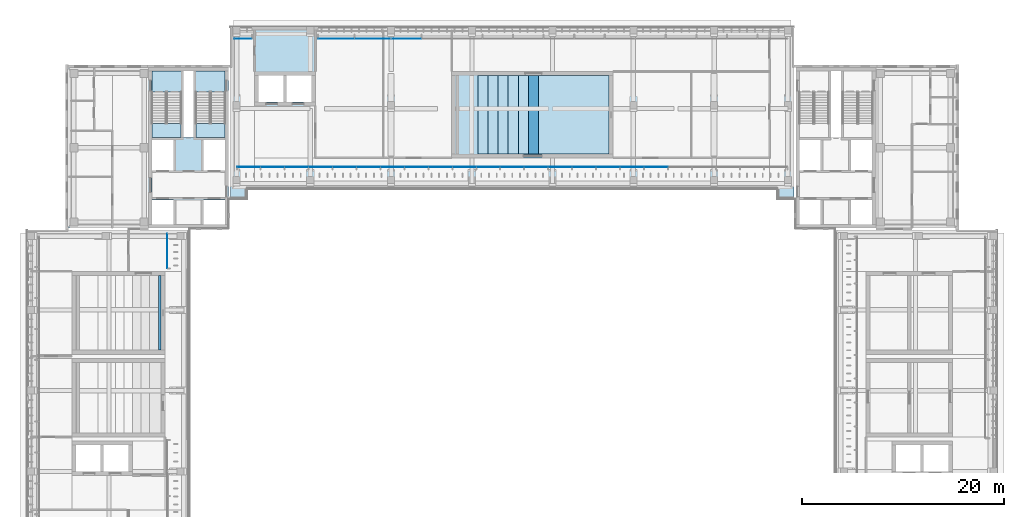
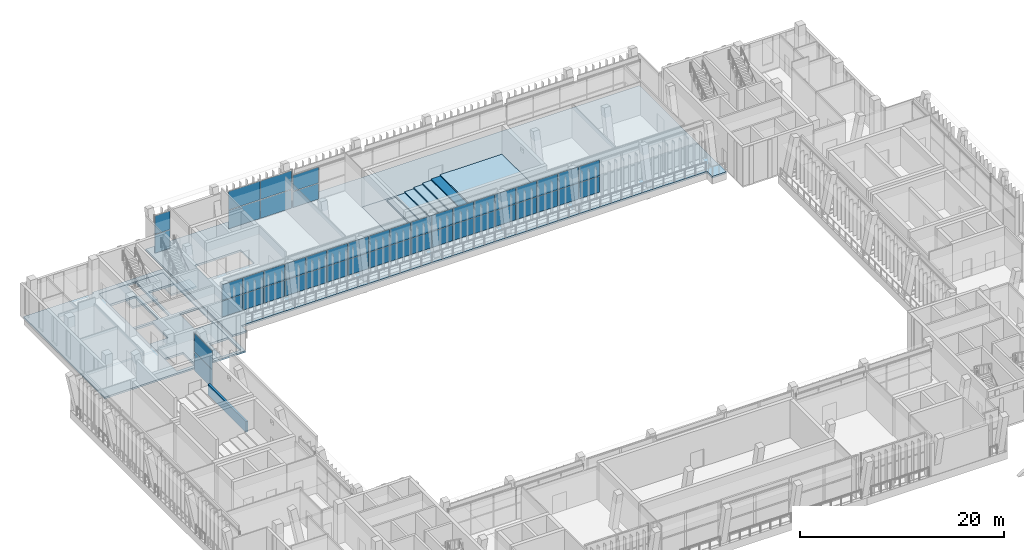
# One storey, part 39 of 74: 46 plates, 14 slabs, 7 elements without a shape of their own.
"""IFC4 building model written with IfcOpenShell, lengths in metres."""

from ifc_helpers import new_model, si_unit, direction, frame, origin, origin_2d, place, context, subcontext, project, spatial, polyline, rectangle, outline, extrude, material, layer, layer_set, type_object, element, aggregate, save


model = new_model("IFC4")

# Units and contexts
model_context = context("Model", 3, precision=1e-05, world=origin(), true_north=direction((0.0, 1.0)))
body_context = subcontext(model_context, "Body", "Model", "MODEL_VIEW")
ifc_project = project(units=[si_unit("LENGTHUNIT", "METRE"), si_unit("AREAUNIT", "SQUARE_METRE"), si_unit("VOLUMEUNIT", "CUBIC_METRE"), si_unit("PLANEANGLEUNIT", "RADIAN"), si_unit("MASSUNIT", "GRAM", prefix="KILO")], contexts=[model_context])

# Site, building, storey
site_placement = place(None, origin())
site = spatial("IfcSite", under=ifc_project, at=site_placement, CompositionType="ELEMENT")
building_placement = place(site_placement, origin())
building = spatial("IfcBuilding", under=site, at=building_placement, Name="Lantern Court Media Centre", CompositionType="ELEMENT")
storey_placement = place(building_placement, frame((0.0, 0.0, 19.199951171875)))
storey = spatial("IfcBuildingStorey", under=building, at=storey_placement, Name="L04", CompositionType="ELEMENT", Elevation=19.199951171875)

# Slab
ifc_material_1 = material(Name="Concrete C40", Category="concrete")
ifc_layer_1 = layer(ifc_material_1, 0.25)
ifc_layer_set_1 = layer_set([ifc_layer_1], Name="Concrete C40")
slab_type_1 = type_object("IfcSlabType", Name="Core floor slab 250", PredefinedType="FLOOR", material=ifc_layer_set_1)
slab_1_placement = place(storey_placement, frame((0.0, 0.0, -0.25)))
element("IfcSlab", 1, at=slab_1_placement, inside=storey, type_object=slab_type_1, Name="L04 NW core floor", PredefinedType="FLOOR", context=body_context, shape_type="SweptSolid", body=[
    extrude(outline(polyline([(16.35009765625, 104.800048828125), (16.35009765625, 105.05029296875), (19.19970703125, 105.05029296875), (19.19970703125, 109.549560546875), (16.35009765625, 109.549560546875), (16.35009765625, 111.64990234375), (19.449951171875, 111.64990234375), (19.449951171875, 105.050048828125), (20.449951171875, 105.050048828125), (20.449951171875, 111.64990234375), (23.550048828125, 111.64990234375), (23.550048828125, 109.549560546875), (20.700439453125, 109.549560546875), (20.700439453125, 105.05029296875), (23.550048828125, 105.05029296875), (23.550048828125, 104.800048828125), (21.449951171875, 104.800048828125), (21.449951171875, 101.800048828125), (23.550048828125, 101.800048828125), (23.550048828125, 98.89990234375), (21.449951171875, 98.89990234375), (21.449951171875, 96.449951171875), (18.449951171875, 96.449951171875), (18.449951171875, 98.89990234375), (16.35009765625, 98.89990234375), (16.35009765625, 101.800048828125), (18.449951171875, 101.800048828125), (18.449951171875, 104.800048828125), (16.35009765625, 104.800048828125)])), origin(), (0.0, 0.0, 1.0), 0.25),
])

# Curtain wall, plates
ifc_material_2 = material(Name="Curtain wall bay 2400")
curtain_wall_type_1 = type_object("IfcCurtainWallType", Name="Curtain wall bay 2400", PredefinedType="NOTDEFINED", material=ifc_material_2)
curtain_wall_1_placement = place(storey_placement, origin())
curtain_wall_1 = element("IfcCurtainWall", 2, at=curtain_wall_1_placement, inside=storey, type_object=curtain_wall_type_1, Name="Curtain wall N inner L04", PredefinedType="NOTDEFINED")
ifc_material_3 = material(Name="Low-iron double glazed unit glass", Category="glass")
ifc_layer_2 = layer(ifc_material_3, 0.02392578125)
ifc_layer_set_2 = layer_set([ifc_layer_2], Name="Low-iron double glazed unit glass")
plate_type_1 = type_object("IfcPlateType", Name="Curtain wall glazing unit 24", PredefinedType="CURTAIN_PANEL", material=ifc_layer_set_2)
plate_1_placement = place(storey_placement, frame((25.8994140625, 102.14990234375, 0.050048828125), z_axis=(0.0, 0.0, 1.0), x_axis=(1.0, 0.0, 0.0)))
plate_1 = element("IfcPlate", 3, at=plate_1_placement, type_object=plate_type_1, Name="CW2 panel 1.1", PredefinedType="CURTAIN_PANEL", context=body_context, shape_type="SweptSolid", body=[
    extrude(rectangle(XDim=2.298828125, YDim=0.02392578125, at=origin_2d()), origin(), (0.0, 0.0, 1.0), 1.89990234375),
])
plate_2_placement = place(storey_placement, frame((25.8994140625, 102.14990234375, 2.0), z_axis=(0.0, 0.0, 1.0), x_axis=(1.0, 0.0, 0.0)))
plate_2 = element("IfcPlate", 4, at=plate_2_placement, type_object=plate_type_1, Name="CW2 panel 1.2", PredefinedType="CURTAIN_PANEL", context=body_context, shape_type="SweptSolid", body=[
    extrude(rectangle(XDim=2.298828125, YDim=0.02392578125, at=origin_2d()), origin(), (0.0, 0.0, 1.0), 1.89990234375),
])
plate_3_placement = place(storey_placement, frame((28.260986328125, 102.14990234375, 0.050048828125), z_axis=(0.0, 0.0, 1.0), x_axis=(1.0, 0.0, 0.0)))
plate_3 = element("IfcPlate", 5, at=plate_3_placement, type_object=plate_type_1, Name="CW2 panel 2.1", PredefinedType="CURTAIN_PANEL", context=body_context, shape_type="SweptSolid", body=[
    extrude(rectangle(XDim=2.323974609375, YDim=0.02392578125, at=origin_2d()), origin(), (0.0, 0.0, 1.0), 1.89990234375),
])
plate_4_placement = place(storey_placement, frame((28.260986328125, 102.14990234375, 2.0), z_axis=(0.0, 0.0, 1.0), x_axis=(1.0, 0.0, 0.0)))
plate_4 = element("IfcPlate", 6, at=plate_4_placement, type_object=plate_type_1, Name="CW2 panel 2.2", PredefinedType="CURTAIN_PANEL", context=body_context, shape_type="SweptSolid", body=[
    extrude(rectangle(XDim=2.323974609375, YDim=0.02392578125, at=origin_2d()), origin(), (0.0, 0.0, 1.0), 1.89990234375),
])
plate_5_placement = place(storey_placement, frame((30.634765625, 102.14990234375, 0.050048828125), z_axis=(0.0, 0.0, 1.0), x_axis=(1.0, 0.0, 0.0)))
plate_5 = element("IfcPlate", 7, at=plate_5_placement, type_object=plate_type_1, Name="CW2 panel 3.1", PredefinedType="CURTAIN_PANEL", context=body_context, shape_type="SweptSolid", body=[
    extrude(rectangle(XDim=2.323974609375, YDim=0.02392578125, at=origin_2d()), origin(), (0.0, 0.0, 1.0), 1.89990234375),
])
plate_6_placement = place(storey_placement, frame((30.634765625, 102.14990234375, 2.0), z_axis=(0.0, 0.0, 1.0), x_axis=(1.0, 0.0, 0.0)))
plate_6 = element("IfcPlate", 8, at=plate_6_placement, type_object=plate_type_1, Name="CW2 panel 3.2", PredefinedType="CURTAIN_PANEL", context=body_context, shape_type="SweptSolid", body=[
    extrude(rectangle(XDim=2.323974609375, YDim=0.02392578125, at=origin_2d()), origin(), (0.0, 0.0, 1.0), 1.89990234375),
])
plate_7_placement = place(storey_placement, frame((33.0087890625, 102.14990234375, 0.050048828125), z_axis=(0.0, 0.0, 1.0), x_axis=(1.0, 0.0, 0.0)))
plate_7 = element("IfcPlate", 9, at=plate_7_placement, type_object=plate_type_1, Name="CW2 panel 4.1", PredefinedType="CURTAIN_PANEL", context=body_context, shape_type="SweptSolid", body=[
    extrude(rectangle(XDim=2.323974609375, YDim=0.02392578125, at=origin_2d()), origin(), (0.0, 0.0, 1.0), 1.89990234375),
])
plate_8_placement = place(storey_placement, frame((33.0087890625, 102.14990234375, 2.0), z_axis=(0.0, 0.0, 1.0), x_axis=(1.0, 0.0, 0.0)))
plate_8 = element("IfcPlate", 10, at=plate_8_placement, type_object=plate_type_1, Name="CW2 panel 4.2", PredefinedType="CURTAIN_PANEL", context=body_context, shape_type="SweptSolid", body=[
    extrude(rectangle(XDim=2.323974609375, YDim=0.02392578125, at=origin_2d()), origin(), (0.0, 0.0, 1.0), 1.89990234375),
])
plate_9_placement = place(storey_placement, frame((35.382568359375, 102.14990234375, 0.050048828125), z_axis=(0.0, 0.0, 1.0), x_axis=(1.0, 0.0, 0.0)))
plate_9 = element("IfcPlate", 11, at=plate_9_placement, type_object=plate_type_1, Name="CW2 panel 5.1", PredefinedType="CURTAIN_PANEL", context=body_context, shape_type="SweptSolid", body=[
    extrude(rectangle(XDim=2.323974609375, YDim=0.02392578125, at=origin_2d()), origin(), (0.0, 0.0, 1.0), 1.89990234375),
])
plate_10_placement = place(storey_placement, frame((35.382568359375, 102.14990234375, 2.0), z_axis=(0.0, 0.0, 1.0), x_axis=(1.0, 0.0, 0.0)))
plate_10 = element("IfcPlate", 12, at=plate_10_placement, type_object=plate_type_1, Name="CW2 panel 5.2", PredefinedType="CURTAIN_PANEL", context=body_context, shape_type="SweptSolid", body=[
    extrude(rectangle(XDim=2.323974609375, YDim=0.02392578125, at=origin_2d()), origin(), (0.0, 0.0, 1.0), 1.89990234375),
])
plate_11_placement = place(storey_placement, frame((37.756591796875, 102.14990234375, 0.050048828125), z_axis=(0.0, 0.0, 1.0), x_axis=(1.0, 0.0, 0.0)))
plate_11 = element("IfcPlate", 13, at=plate_11_placement, type_object=plate_type_1, Name="CW2 panel 6.1", PredefinedType="CURTAIN_PANEL", context=body_context, shape_type="SweptSolid", body=[
    extrude(rectangle(XDim=2.323974609375, YDim=0.02392578125, at=origin_2d()), origin(), (0.0, 0.0, 1.0), 1.89990234375),
])
plate_12_placement = place(storey_placement, frame((37.756591796875, 102.14990234375, 2.0), z_axis=(0.0, 0.0, 1.0), x_axis=(1.0, 0.0, 0.0)))
plate_12 = element("IfcPlate", 14, at=plate_12_placement, type_object=plate_type_1, Name="CW2 panel 6.2", PredefinedType="CURTAIN_PANEL", context=body_context, shape_type="SweptSolid", body=[
    extrude(rectangle(XDim=2.323974609375, YDim=0.02392578125, at=origin_2d()), origin(), (0.0, 0.0, 1.0), 1.89990234375),
])
plate_13_placement = place(storey_placement, frame((40.13037109375, 102.14990234375, 0.050048828125), z_axis=(0.0, 0.0, 1.0), x_axis=(1.0, 0.0, 0.0)))
plate_13 = element("IfcPlate", 15, at=plate_13_placement, type_object=plate_type_1, Name="CW2 panel 7.1", PredefinedType="CURTAIN_PANEL", context=body_context, shape_type="SweptSolid", body=[
    extrude(rectangle(XDim=2.323974609375, YDim=0.02392578125, at=origin_2d()), origin(), (0.0, 0.0, 1.0), 1.89990234375),
])
plate_14_placement = place(storey_placement, frame((40.13037109375, 102.14990234375, 2.0), z_axis=(0.0, 0.0, 1.0), x_axis=(1.0, 0.0, 0.0)))
plate_14 = element("IfcPlate", 16, at=plate_14_placement, type_object=plate_type_1, Name="CW2 panel 7.2", PredefinedType="CURTAIN_PANEL", context=body_context, shape_type="SweptSolid", body=[
    extrude(rectangle(XDim=2.323974609375, YDim=0.02392578125, at=origin_2d()), origin(), (0.0, 0.0, 1.0), 1.89990234375),
])
plate_15_placement = place(storey_placement, frame((42.50439453125, 102.14990234375, 0.050048828125), z_axis=(0.0, 0.0, 1.0), x_axis=(1.0, 0.0, 0.0)))
plate_15 = element("IfcPlate", 17, at=plate_15_placement, type_object=plate_type_1, Name="CW2 panel 8.1", PredefinedType="CURTAIN_PANEL", context=body_context, shape_type="SweptSolid", body=[
    extrude(rectangle(XDim=2.323974609375, YDim=0.02392578125, at=origin_2d()), origin(), (0.0, 0.0, 1.0), 1.89990234375),
])
plate_16_placement = place(storey_placement, frame((42.50439453125, 102.14990234375, 2.0), z_axis=(0.0, 0.0, 1.0), x_axis=(1.0, 0.0, 0.0)))
plate_16 = element("IfcPlate", 18, at=plate_16_placement, type_object=plate_type_1, Name="CW2 panel 8.2", PredefinedType="CURTAIN_PANEL", context=body_context, shape_type="SweptSolid", body=[
    extrude(rectangle(XDim=2.323974609375, YDim=0.02392578125, at=origin_2d()), origin(), (0.0, 0.0, 1.0), 1.89990234375),
])
plate_17_placement = place(storey_placement, frame((44.878173828125, 102.14990234375, 0.050048828125), z_axis=(0.0, 0.0, 1.0), x_axis=(1.0, 0.0, 0.0)))
plate_17 = element("IfcPlate", 19, at=plate_17_placement, type_object=plate_type_1, Name="CW2 panel 9.1", PredefinedType="CURTAIN_PANEL", context=body_context, shape_type="SweptSolid", body=[
    extrude(rectangle(XDim=2.323974609375, YDim=0.02392578125, at=origin_2d()), origin(), (0.0, 0.0, 1.0), 1.89990234375),
])
plate_18_placement = place(storey_placement, frame((44.878173828125, 102.14990234375, 2.0), z_axis=(0.0, 0.0, 1.0), x_axis=(1.0, 0.0, 0.0)))
plate_18 = element("IfcPlate", 20, at=plate_18_placement, type_object=plate_type_1, Name="CW2 panel 9.2", PredefinedType="CURTAIN_PANEL", context=body_context, shape_type="SweptSolid", body=[
    extrude(rectangle(XDim=2.323974609375, YDim=0.02392578125, at=origin_2d()), origin(), (0.0, 0.0, 1.0), 1.89990234375),
])
plate_19_placement = place(storey_placement, frame((47.252197265625, 102.14990234375, 0.050048828125), z_axis=(0.0, 0.0, 1.0), x_axis=(1.0, 0.0, 0.0)))
plate_19 = element("IfcPlate", 21, at=plate_19_placement, type_object=plate_type_1, Name="CW2 panel 10.1", PredefinedType="CURTAIN_PANEL", context=body_context, shape_type="SweptSolid", body=[
    extrude(rectangle(XDim=2.323974609375, YDim=0.02392578125, at=origin_2d()), origin(), (0.0, 0.0, 1.0), 1.89990234375),
])
plate_20_placement = place(storey_placement, frame((47.252197265625, 102.14990234375, 2.0), z_axis=(0.0, 0.0, 1.0), x_axis=(1.0, 0.0, 0.0)))
plate_20 = element("IfcPlate", 22, at=plate_20_placement, type_object=plate_type_1, Name="CW2 panel 10.2", PredefinedType="CURTAIN_PANEL", context=body_context, shape_type="SweptSolid", body=[
    extrude(rectangle(XDim=2.323974609375, YDim=0.02392578125, at=origin_2d()), origin(), (0.0, 0.0, 1.0), 1.89990234375),
])
plate_21_placement = place(storey_placement, frame((49.6259765625, 102.14990234375, 0.050048828125), z_axis=(0.0, 0.0, 1.0), x_axis=(1.0, 0.0, 0.0)))
plate_21 = element("IfcPlate", 23, at=plate_21_placement, type_object=plate_type_1, Name="CW2 panel 11.1", PredefinedType="CURTAIN_PANEL", context=body_context, shape_type="SweptSolid", body=[
    extrude(rectangle(XDim=2.323974609375, YDim=0.02392578125, at=origin_2d()), origin(), (0.0, 0.0, 1.0), 1.89990234375),
])
plate_22_placement = place(storey_placement, frame((49.6259765625, 102.14990234375, 2.0), z_axis=(0.0, 0.0, 1.0), x_axis=(1.0, 0.0, 0.0)))
plate_22 = element("IfcPlate", 24, at=plate_22_placement, type_object=plate_type_1, Name="CW2 panel 11.2", PredefinedType="CURTAIN_PANEL", context=body_context, shape_type="SweptSolid", body=[
    extrude(rectangle(XDim=2.323974609375, YDim=0.02392578125, at=origin_2d()), origin(), (0.0, 0.0, 1.0), 1.89990234375),
])
plate_23_placement = place(storey_placement, frame((52.0, 102.14990234375, 0.050048828125), z_axis=(0.0, 0.0, 1.0), x_axis=(1.0, 0.0, 0.0)))
plate_23 = element("IfcPlate", 25, at=plate_23_placement, type_object=plate_type_1, Name="CW2 panel 12.1", PredefinedType="CURTAIN_PANEL", context=body_context, shape_type="SweptSolid", body=[
    extrude(rectangle(XDim=2.323974609375, YDim=0.02392578125, at=origin_2d()), origin(), (0.0, 0.0, 1.0), 1.89990234375),
])
plate_24_placement = place(storey_placement, frame((52.0, 102.14990234375, 2.0), z_axis=(0.0, 0.0, 1.0), x_axis=(1.0, 0.0, 0.0)))
plate_24 = element("IfcPlate", 26, at=plate_24_placement, type_object=plate_type_1, Name="CW2 panel 12.2", PredefinedType="CURTAIN_PANEL", context=body_context, shape_type="SweptSolid", body=[
    extrude(rectangle(XDim=2.323974609375, YDim=0.02392578125, at=origin_2d()), origin(), (0.0, 0.0, 1.0), 1.89990234375),
])
plate_25_placement = place(storey_placement, frame((54.3740234375, 102.14990234375, 0.050048828125), z_axis=(0.0, 0.0, 1.0), x_axis=(1.0, 0.0, 0.0)))
plate_25 = element("IfcPlate", 27, at=plate_25_placement, type_object=plate_type_1, Name="CW2 panel 13.1", PredefinedType="CURTAIN_PANEL", context=body_context, shape_type="SweptSolid", body=[
    extrude(rectangle(XDim=2.323974609375, YDim=0.02392578125, at=origin_2d()), origin(), (0.0, 0.0, 1.0), 1.89990234375),
])
plate_26_placement = place(storey_placement, frame((54.3740234375, 102.14990234375, 2.0), z_axis=(0.0, 0.0, 1.0), x_axis=(1.0, 0.0, 0.0)))
plate_26 = element("IfcPlate", 28, at=plate_26_placement, type_object=plate_type_1, Name="CW2 panel 13.2", PredefinedType="CURTAIN_PANEL", context=body_context, shape_type="SweptSolid", body=[
    extrude(rectangle(XDim=2.323974609375, YDim=0.02392578125, at=origin_2d()), origin(), (0.0, 0.0, 1.0), 1.89990234375),
])
plate_27_placement = place(storey_placement, frame((56.747802734375, 102.14990234375, 0.050048828125), z_axis=(0.0, 0.0, 1.0), x_axis=(1.0, 0.0, 0.0)))
plate_27 = element("IfcPlate", 29, at=plate_27_placement, type_object=plate_type_1, Name="CW2 panel 14.1", PredefinedType="CURTAIN_PANEL", context=body_context, shape_type="SweptSolid", body=[
    extrude(rectangle(XDim=2.323974609375, YDim=0.02392578125, at=origin_2d()), origin(), (0.0, 0.0, 1.0), 1.89990234375),
])
plate_28_placement = place(storey_placement, frame((56.747802734375, 102.14990234375, 2.0), z_axis=(0.0, 0.0, 1.0), x_axis=(1.0, 0.0, 0.0)))
plate_28 = element("IfcPlate", 30, at=plate_28_placement, type_object=plate_type_1, Name="CW2 panel 14.2", PredefinedType="CURTAIN_PANEL", context=body_context, shape_type="SweptSolid", body=[
    extrude(rectangle(XDim=2.323974609375, YDim=0.02392578125, at=origin_2d()), origin(), (0.0, 0.0, 1.0), 1.89990234375),
])
plate_29_placement = place(storey_placement, frame((59.121826171875, 102.14990234375, 0.050048828125), z_axis=(0.0, 0.0, 1.0), x_axis=(1.0, 0.0, 0.0)))
plate_29 = element("IfcPlate", 31, at=plate_29_placement, type_object=plate_type_1, Name="CW2 panel 15.1", PredefinedType="CURTAIN_PANEL", context=body_context, shape_type="SweptSolid", body=[
    extrude(rectangle(XDim=2.323974609375, YDim=0.02392578125, at=origin_2d()), origin(), (0.0, 0.0, 1.0), 1.89990234375),
])
plate_30_placement = place(storey_placement, frame((59.121826171875, 102.14990234375, 2.0), z_axis=(0.0, 0.0, 1.0), x_axis=(1.0, 0.0, 0.0)))
plate_30 = element("IfcPlate", 32, at=plate_30_placement, type_object=plate_type_1, Name="CW2 panel 15.2", PredefinedType="CURTAIN_PANEL", context=body_context, shape_type="SweptSolid", body=[
    extrude(rectangle(XDim=2.323974609375, YDim=0.02392578125, at=origin_2d()), origin(), (0.0, 0.0, 1.0), 1.89990234375),
])
plate_31_placement = place(storey_placement, frame((61.49560546875, 102.14990234375, 0.050048828125), z_axis=(0.0, 0.0, 1.0), x_axis=(1.0, 0.0, 0.0)))
plate_31 = element("IfcPlate", 33, at=plate_31_placement, type_object=plate_type_1, Name="CW2 panel 16.1", PredefinedType="CURTAIN_PANEL", context=body_context, shape_type="SweptSolid", body=[
    extrude(rectangle(XDim=2.323974609375, YDim=0.02392578125, at=origin_2d()), origin(), (0.0, 0.0, 1.0), 1.89990234375),
])
plate_32_placement = place(storey_placement, frame((61.49560546875, 102.14990234375, 2.0), z_axis=(0.0, 0.0, 1.0), x_axis=(1.0, 0.0, 0.0)))
plate_32 = element("IfcPlate", 34, at=plate_32_placement, type_object=plate_type_1, Name="CW2 panel 16.2", PredefinedType="CURTAIN_PANEL", context=body_context, shape_type="SweptSolid", body=[
    extrude(rectangle(XDim=2.323974609375, YDim=0.02392578125, at=origin_2d()), origin(), (0.0, 0.0, 1.0), 1.89990234375),
])
plate_33_placement = place(storey_placement, frame((63.86962890625, 102.14990234375, 0.050048828125), z_axis=(0.0, 0.0, 1.0), x_axis=(1.0, 0.0, 0.0)))
plate_33 = element("IfcPlate", 35, at=plate_33_placement, type_object=plate_type_1, Name="CW2 panel 17.1", PredefinedType="CURTAIN_PANEL", context=body_context, shape_type="SweptSolid", body=[
    extrude(rectangle(XDim=2.323974609375, YDim=0.02392578125, at=origin_2d()), origin(), (0.0, 0.0, 1.0), 1.89990234375),
])
plate_34_placement = place(storey_placement, frame((63.86962890625, 102.14990234375, 2.0), z_axis=(0.0, 0.0, 1.0), x_axis=(1.0, 0.0, 0.0)))
plate_34 = element("IfcPlate", 36, at=plate_34_placement, type_object=plate_type_1, Name="CW2 panel 17.2", PredefinedType="CURTAIN_PANEL", context=body_context, shape_type="SweptSolid", body=[
    extrude(rectangle(XDim=2.323974609375, YDim=0.02392578125, at=origin_2d()), origin(), (0.0, 0.0, 1.0), 1.89990234375),
])
plate_35_placement = place(storey_placement, frame((66.243408203125, 102.14990234375, 0.050048828125), z_axis=(0.0, 0.0, 1.0), x_axis=(1.0, 0.0, 0.0)))
plate_35 = element("IfcPlate", 37, at=plate_35_placement, type_object=plate_type_1, Name="CW2 panel 18.1", PredefinedType="CURTAIN_PANEL", context=body_context, shape_type="SweptSolid", body=[
    extrude(rectangle(XDim=2.323974609375, YDim=0.02392578125, at=origin_2d()), origin(), (0.0, 0.0, 1.0), 1.89990234375),
])
plate_36_placement = place(storey_placement, frame((66.243408203125, 102.14990234375, 2.0), z_axis=(0.0, 0.0, 1.0), x_axis=(1.0, 0.0, 0.0)))
plate_36 = element("IfcPlate", 38, at=plate_36_placement, type_object=plate_type_1, Name="CW2 panel 18.2", PredefinedType="CURTAIN_PANEL", context=body_context, shape_type="SweptSolid", body=[
    extrude(rectangle(XDim=2.323974609375, YDim=0.02392578125, at=origin_2d()), origin(), (0.0, 0.0, 1.0), 1.89990234375),
])
aggregate(curtain_wall_1, [plate_1, plate_2, plate_3, plate_4, plate_5, plate_6, plate_7, plate_8, plate_9, plate_10, plate_11, plate_12, plate_13, plate_14, plate_15, plate_16, plate_17, plate_18, plate_19, plate_20, plate_21, plate_22, plate_23, plate_24, plate_25, plate_26, plate_27, plate_28, plate_29, plate_30, plate_31, plate_32, plate_33, plate_34, plate_35, plate_36])

curtain_wall_2_placement = place(storey_placement, origin())
curtain_wall_2 = element("IfcCurtainWall", 39, at=curtain_wall_2_placement, inside=storey, type_object=curtain_wall_type_1, Name="Curtain wall W inner L04", PredefinedType="NOTDEFINED")
plate_37_placement = place(storey_placement, frame((17.85009765625, 93.81494140625, 0.0498046875), z_axis=(0.0, 0.0, 1.0), x_axis=(0.0, 1.0, 0.0)))
plate_37 = element("IfcPlate", 40, at=plate_37_placement, type_object=plate_type_1, Name="CW2 panel 1.1", PredefinedType="CURTAIN_PANEL", context=body_context, shape_type="SweptSolid", body=[
    extrude(rectangle(XDim=3.429931640625, YDim=0.02392578125, at=origin_2d()), origin(), (0.0, 0.0, 1.0), 2.215087890625),
])
plate_38_placement = place(storey_placement, frame((17.85009765625, 93.81494140625, 2.31494140625), z_axis=(0.0, 0.0, 1.0), x_axis=(0.0, 1.0, 0.0)))
plate_38 = element("IfcPlate", 41, at=plate_38_placement, type_object=plate_type_1, Name="CW2 panel 1.2", PredefinedType="CURTAIN_PANEL", context=body_context, shape_type="SweptSolid", body=[
    extrude(rectangle(XDim=3.429931640625, YDim=0.02392578125, at=origin_2d()), origin(), (0.0, 0.0, 1.0), 2.215087890625),
])
aggregate(curtain_wall_2, [plate_37, plate_38])

ifc_material_4 = material(Name="Curtain wall bay 3000")
curtain_wall_type_2 = type_object("IfcCurtainWallType", Name="Curtain wall bay 3000", PredefinedType="NOTDEFINED", material=ifc_material_4)
curtain_wall_3_placement = place(storey_placement, origin())
curtain_wall_3 = element("IfcCurtainWall", 42, at=curtain_wall_3_placement, inside=storey, type_object=curtain_wall_type_2, Name="Curtain wall N outer L04", PredefinedType="NOTDEFINED")
ifc_layer_3 = layer(ifc_material_3, 0.028076171875)
ifc_layer_set_3 = layer_set([ifc_layer_3], Name="Low-iron double glazed unit glass")
plate_type_2 = type_object("IfcPlateType", Name="Curtain wall glazing unit 28", PredefinedType="CURTAIN_PANEL", material=ifc_layer_set_3)
plate_39_placement = place(storey_placement, frame((25.3349609375, 114.85009765625, 0.06005859375), z_axis=(0.0, 0.0, 1.0), x_axis=(1.0, 0.0, 0.0)))
plate_39 = element("IfcPlate", 43, at=plate_39_placement, type_object=plate_type_2, Name="CW1 panel 1.1", PredefinedType="CURTAIN_PANEL", context=body_context, shape_type="SweptSolid", body=[
    extrude(rectangle(XDim=1.7099609375, YDim=0.028076171875, at=origin_2d()), origin(), (0.0, 0.0, 1.0), 2.199951171875),
])
plate_40_placement = place(storey_placement, frame((25.3349609375, 114.85009765625, 2.3203125), z_axis=(0.0, 0.0, 1.0), x_axis=(1.0, 0.0, 0.0)))
plate_40 = element("IfcPlate", 44, at=plate_40_placement, type_object=plate_type_2, Name="CW1 panel 1.2", PredefinedType="CURTAIN_PANEL", context=body_context, shape_type="SweptSolid", body=[
    extrude(rectangle(XDim=1.7099609375, YDim=0.028076171875, at=origin_2d()), origin(), (0.0, 0.0, 1.0), 2.199951171875),
])
aggregate(curtain_wall_3, [plate_39, plate_40])

curtain_wall_4_placement = place(storey_placement, origin())
curtain_wall_4 = element("IfcCurtainWall", 45, at=curtain_wall_4_placement, inside=storey, type_object=curtain_wall_type_2, Name="Curtain wall N outer L04", PredefinedType="NOTDEFINED")
plate_41_placement = place(storey_placement, frame((34.577392578125, 114.85009765625, 0.06005859375), z_axis=(0.0, 0.0, 1.0), x_axis=(1.0, 0.0, 0.0)))
plate_41 = element("IfcPlate", 46, at=plate_41_placement, type_object=plate_type_2, Name="CW1 panel 1.1", PredefinedType="CURTAIN_PANEL", context=body_context, shape_type="SweptSolid", body=[
    extrude(rectangle(XDim=3.534912109375, YDim=0.028076171875, at=origin_2d()), origin(), (0.0, 0.0, 1.0), 2.199951171875),
])
plate_42_placement = place(storey_placement, frame((34.577392578125, 114.85009765625, 2.3203125), z_axis=(0.0, 0.0, 1.0), x_axis=(1.0, 0.0, 0.0)))
plate_42 = element("IfcPlate", 47, at=plate_42_placement, type_object=plate_type_2, Name="CW1 panel 1.2", PredefinedType="CURTAIN_PANEL", context=body_context, shape_type="SweptSolid", body=[
    extrude(rectangle(XDim=3.534912109375, YDim=0.028076171875, at=origin_2d()), origin(), (0.0, 0.0, 1.0), 2.199951171875),
])
plate_43_placement = place(storey_placement, frame((38.172607421875, 114.85009765625, 0.06005859375), z_axis=(0.0, 0.0, 1.0), x_axis=(1.0, 0.0, 0.0)))
plate_43 = element("IfcPlate", 48, at=plate_43_placement, type_object=plate_type_2, Name="CW1 panel 2.1", PredefinedType="CURTAIN_PANEL", context=body_context, shape_type="SweptSolid", body=[
    extrude(rectangle(XDim=3.534912109375, YDim=0.028076171875, at=origin_2d()), origin(), (0.0, 0.0, 1.0), 2.199951171875),
])
plate_44_placement = place(storey_placement, frame((38.172607421875, 114.85009765625, 2.3203125), z_axis=(0.0, 0.0, 1.0), x_axis=(1.0, 0.0, 0.0)))
plate_44 = element("IfcPlate", 49, at=plate_44_placement, type_object=plate_type_2, Name="CW1 panel 2.2", PredefinedType="CURTAIN_PANEL", context=body_context, shape_type="SweptSolid", body=[
    extrude(rectangle(XDim=3.534912109375, YDim=0.028076171875, at=origin_2d()), origin(), (0.0, 0.0, 1.0), 2.199951171875),
])
aggregate(curtain_wall_4, [plate_41, plate_42, plate_43, plate_44])

curtain_wall_5_placement = place(storey_placement, origin())
curtain_wall_5 = element("IfcCurtainWall", 50, at=curtain_wall_5_placement, inside=storey, type_object=curtain_wall_type_2, Name="Curtain wall N outer L04", PredefinedType="NOTDEFINED")
plate_45_placement = place(storey_placement, frame((41.526611328125, 114.85009765625, 0.06005859375), z_axis=(0.0, 0.0, 1.0), x_axis=(1.0, 0.0, 0.0)))
plate_45 = element("IfcPlate", 51, at=plate_45_placement, type_object=plate_type_2, Name="CW1 panel 1.1", PredefinedType="CURTAIN_PANEL", context=body_context, shape_type="SweptSolid", body=[
    extrude(rectangle(XDim=2.93310546875, YDim=0.028076171875, at=origin_2d()), origin(), (0.0, 0.0, 1.0), 1.885009765625),
])
plate_46_placement = place(storey_placement, frame((41.526611328125, 114.85009765625, 2.0048828125), z_axis=(0.0, 0.0, 1.0), x_axis=(1.0, 0.0, 0.0)))
plate_46 = element("IfcPlate", 52, at=plate_46_placement, type_object=plate_type_2, Name="CW1 panel 1.2", PredefinedType="CURTAIN_PANEL", context=body_context, shape_type="SweptSolid", body=[
    extrude(rectangle(XDim=2.93310546875, YDim=0.028076171875, at=origin_2d()), origin(), (0.0, 0.0, 1.0), 1.885009765625),
])
aggregate(curtain_wall_5, [plate_45, plate_46])

# Slabs
ifc_material_5 = material(Name="Concrete C35", Category="concrete")
ifc_layer_4 = layer(ifc_material_5, 0.199951171875)
ifc_layer_set_4 = layer_set([ifc_layer_4], Name="Concrete C35")
slab_type_2 = type_object("IfcSlabType", Name="RC FLOOR SLAB 200", PredefinedType="FLOOR", material=ifc_layer_set_4)
slab_2_placement = place(storey_placement, frame((0.0, 0.0, -0.199951171875)))
element("IfcSlab", 53, at=slab_2_placement, inside=storey, type_object=slab_type_2, Name="SL-NW-L04", PredefinedType="FLOOR", context=body_context, shape_type="SweptSolid", body=[
    extrude(outline(polyline([(8.0, 112.0), (15.89990234375, 112.0), (15.89990234375, 112.219970703125), (23.89990234375, 112.219970703125), (23.89990234375, 112.0), (23.89990234375, 96.10009765625), (8.0, 96.10009765625), (8.0, 112.0)]), holes=[polyline([(16.35009765625, 111.64990234375), (16.35009765625, 96.449951171875), (23.550048828125, 96.449951171875), (23.550048828125, 111.64990234375), (16.35009765625, 111.64990234375)])]), origin(), (0.0, 0.0, 1.0), 0.199951171875),
])
ifc_layer_5 = layer(ifc_material_5, 0.219970703125)
ifc_layer_set_5 = layer_set([ifc_layer_5], Name="Concrete C35")
slab_type_3 = type_object("IfcSlabType", Name="RC FLOOR SLAB 220", PredefinedType="FLOOR", material=ifc_layer_set_5)
slab_3_placement = place(storey_placement, frame((0.0, 0.0, -0.219970703125)))
element("IfcSlab", 54, at=slab_3_placement, inside=storey, type_object=slab_type_3, Name="SL-N-L04", PredefinedType="FLOOR", context=body_context, shape_type="SweptSolid", body=[
    extrude(outline(polyline([(46.0, 100.0), (25.699951171875, 100.0), (25.699951171875, 99.0), (24.10009765625, 99.0), (24.10009765625, 100.0), (24.10009765625, 116.0), (46.0, 116.0), (62.0, 116.0), (79.89990234375, 116.0), (79.89990234375, 100.0), (79.89990234375, 99.0), (78.300048828125, 99.0), (78.300048828125, 100.0), (62.0, 100.0), (46.0, 100.0)]), holes=[polyline([(46.0, 103.050048828125), (62.0, 103.050048828125), (62.0, 111.60009765625), (46.0, 111.60009765625), (46.0, 103.050048828125)]), polyline([(26.89990234375, 108.60009765625), (32.10009765625, 108.60009765625), (32.10009765625, 111.199951171875), (26.89990234375, 111.199951171875), (26.89990234375, 108.60009765625)])]), origin(), (0.0, 0.0, 1.0), 0.219970703125),
])
ifc_layer_6 = layer(ifc_material_5, 0.419921875)
ifc_layer_set_6 = layer_set([ifc_layer_6], Name="Concrete C35")
slab_type_4 = type_object("IfcSlabType", Name="RC FLOOR SLAB 420", PredefinedType="FLOOR", material=ifc_layer_set_6)
slab_4_placement = place(storey_placement, frame((0.0, 0.0, -0.419921875)))
element("IfcSlab", 55, at=slab_4_placement, inside=storey, type_object=slab_type_4, Name="SL-N-L04-D1", PredefinedType="FLOOR", context=body_context, shape_type="SweptSolid", body=[
    extrude(outline(polyline([(62.0, 103.050048828125), (62.0, 111.60009765625), (46.0, 111.60009765625), (46.0, 103.050048828125), (62.0, 103.050048828125)])), origin(), (0.0, 0.0, 1.0), 0.419921875),
])
ifc_layer_7 = layer(ifc_material_5, 0.14990234375)
ifc_layer_set_7 = layer_set([ifc_layer_7], Name="Concrete C35")
slab_type_5 = type_object("IfcSlabType", Name="Seating tier", PredefinedType="USERDEFINED", material=ifc_layer_set_7)
slab_5_placement = place(storey_placement, origin())
element("IfcSlab", 56, at=slab_5_placement, inside=storey, type_object=slab_type_5, Name="Preview Theatre tier 1", ObjectType="SEATING TIER", PredefinedType="USERDEFINED", context=body_context, shape_type="SweptSolid", body=[
    extrude(outline(polyline([(48.60009765625, 103.449951171875), (49.60009765625, 103.449951171875), (49.60009765625, 111.199951171875), (48.60009765625, 111.199951171875), (48.60009765625, 103.449951171875)])), origin(), (0.0, 0.0, 1.0), 0.16015625),
])
slab_6_placement = place(storey_placement, origin())
element("IfcSlab", 57, at=slab_6_placement, inside=storey, type_object=slab_type_5, Name="Preview Theatre tier 2", ObjectType="SEATING TIER", PredefinedType="USERDEFINED", context=body_context, shape_type="SweptSolid", body=[
    extrude(outline(polyline([(49.60009765625, 103.449951171875), (50.60009765625, 103.449951171875), (50.60009765625, 111.199951171875), (49.60009765625, 111.199951171875), (49.60009765625, 103.449951171875)])), origin(), (0.0, 0.0, 1.0), 0.320068359375),
])
slab_7_placement = place(storey_placement, origin())
element("IfcSlab", 58, at=slab_7_placement, inside=storey, type_object=slab_type_5, Name="Preview Theatre tier 3", ObjectType="SEATING TIER", PredefinedType="USERDEFINED", context=body_context, shape_type="SweptSolid", body=[
    extrude(outline(polyline([(50.60009765625, 103.449951171875), (51.60009765625, 103.449951171875), (51.60009765625, 111.199951171875), (50.60009765625, 111.199951171875), (50.60009765625, 103.449951171875)])), origin(), (0.0, 0.0, 1.0), 0.47998046875),
])
slab_8_placement = place(storey_placement, origin())
element("IfcSlab", 59, at=slab_8_placement, inside=storey, type_object=slab_type_5, Name="Preview Theatre tier 4", ObjectType="SEATING TIER", PredefinedType="USERDEFINED", context=body_context, shape_type="SweptSolid", body=[
    extrude(outline(polyline([(51.60009765625, 103.449951171875), (52.60009765625, 103.449951171875), (52.60009765625, 111.199951171875), (51.60009765625, 111.199951171875), (51.60009765625, 103.449951171875)])), origin(), (0.0, 0.0, 1.0), 0.64013671875),
])
slab_9_placement = place(storey_placement, origin())
element("IfcSlab", 60, at=slab_9_placement, inside=storey, type_object=slab_type_5, Name="Preview Theatre tier 5", ObjectType="SEATING TIER", PredefinedType="USERDEFINED", context=body_context, shape_type="SweptSolid", body=[
    extrude(outline(polyline([(52.60009765625, 103.449951171875), (53.60009765625, 103.449951171875), (53.60009765625, 111.199951171875), (52.60009765625, 111.199951171875), (52.60009765625, 103.449951171875)])), origin(), (0.0, 0.0, 1.0), 0.800048828125),
])
slab_10_placement = place(storey_placement, origin())
element("IfcSlab", 61, at=slab_10_placement, inside=storey, type_object=slab_type_5, Name="Preview Theatre tier 6", ObjectType="SEATING TIER", PredefinedType="USERDEFINED", context=body_context, shape_type="SweptSolid", body=[
    extrude(outline(polyline([(53.60009765625, 103.449951171875), (54.60009765625, 103.449951171875), (54.60009765625, 111.199951171875), (53.60009765625, 111.199951171875), (53.60009765625, 103.449951171875)])), origin(), (0.0, 0.0, 1.0), 0.9599609375),
])
slab_11_placement = place(storey_placement, origin())
element("IfcSlab", 62, at=slab_11_placement, inside=storey, type_object=slab_type_5, Name="Preview Theatre tier 7", ObjectType="SEATING TIER", PredefinedType="USERDEFINED", context=body_context, shape_type="SweptSolid", body=[
    extrude(outline(polyline([(54.60009765625, 103.449951171875), (61.60009765625, 103.449951171875), (61.60009765625, 111.199951171875), (54.60009765625, 111.199951171875), (54.60009765625, 103.449951171875)])), origin(), (0.0, 0.0, 1.0), 1.1201171875),
])
slab_12_placement = place(storey_placement, origin())
element("IfcSlab", 63, at=slab_12_placement, inside=storey, type_object=slab_type_5, Name="Screen 8 tier 8", ObjectType="SEATING TIER", PredefinedType="USERDEFINED", context=body_context, shape_type="SweptSolid", body=[
    extrude(outline(polyline([(16.949951171875, 84.0), (17.199951171875, 84.0), (17.199951171875, 91.39990234375), (16.949951171875, 91.39990234375), (16.949951171875, 84.0)])), origin(), (0.0, 0.0, 1.0), 1.280029296875),
])

# Stair, slab
stair_type = type_object("IfcStairType", Name="Exit stair 1350", PredefinedType="HALF_TURN_STAIR", material=ifc_material_1)
stair_1_placement = place(storey_placement, origin())
stair_1 = element("IfcStair", 64, at=stair_1_placement, inside=storey, type_object=stair_type, Name="L04 NW exit stair A", PredefinedType="HALF_TURN_STAIR")
ifc_layer_8 = layer(ifc_material_1, 0.199951171875)
ifc_layer_set_8 = layer_set([ifc_layer_8], Name="Concrete C40")
slab_type_6 = type_object("IfcSlabType", Name="Stair landing RC 200", PredefinedType="LANDING", material=ifc_layer_set_8)
slab_13_placement = place(storey_placement, frame((0.0, 0.0, 2.199951171875)))
slab_13 = element("IfcSlab", 65, at=slab_13_placement, type_object=slab_type_6, Name="ST-NWA landing 1", PredefinedType="LANDING", context=body_context, shape_type="SweptSolid", body=[
    extrude(outline(polyline([(16.35009765625, 106.429931640625), (16.35009765625, 105.050048828125), (19.199951171875, 105.050048828125), (19.199951171875, 106.429931640625), (16.35009765625, 106.429931640625)])), origin(), (0.0, 0.0, 1.0), 0.2001953125),
])
aggregate(stair_1, [slab_13])

stair_2_placement = place(storey_placement, origin())
stair_2 = element("IfcStair", 66, at=stair_2_placement, inside=storey, type_object=stair_type, Name="L04 NW exit stair B", PredefinedType="HALF_TURN_STAIR")
slab_14_placement = place(storey_placement, frame((0.0, 0.0, 2.199951171875)))
slab_14 = element("IfcSlab", 67, at=slab_14_placement, type_object=slab_type_6, Name="ST-NWB landing 1", PredefinedType="LANDING", context=body_context, shape_type="SweptSolid", body=[
    extrude(outline(polyline([(20.699951171875, 106.429931640625), (20.699951171875, 105.050048828125), (23.550048828125, 105.050048828125), (23.550048828125, 106.429931640625), (20.699951171875, 106.429931640625)])), origin(), (0.0, 0.0, 1.0), 0.2001953125),
])
aggregate(stair_2, [slab_14])

save(model, "model.ifc")
